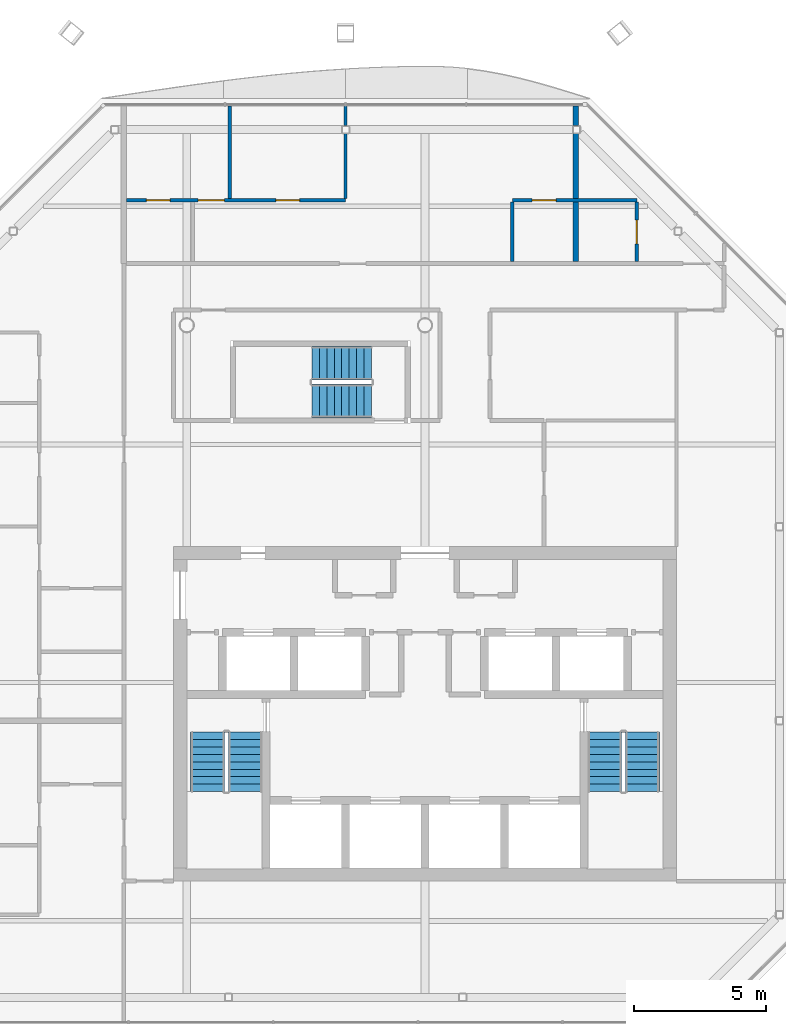
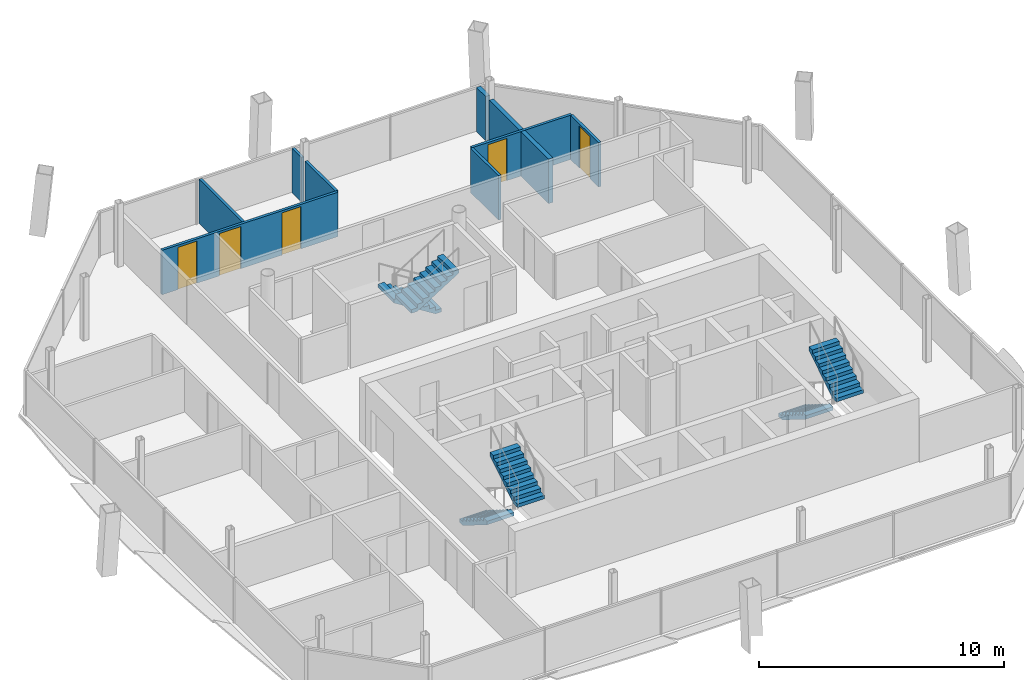
# One storey, part 12 of 16: 9 walls, 6 stair flights, 5 doors, 5 openings, 3 elements without a shape of their own.
"""IFC4 building model written with IfcOpenShell, lengths in metres."""

from ifc_helpers import new_model, si_unit, direction, frame, frame_2d, origin, place, context, subcontext, project, spatial, polyline, rectangle, outline, extrude, material, layer, layer_set, type_object, element, fill, aggregate, save


model = new_model("IFC4")

# Units and contexts
model_context = context("Model", 3, precision=1e-05, world=origin(), true_north=direction((0.0, 1.0)))
body_context = subcontext(model_context, "Body", "Model", "MODEL_VIEW")
ifc_project = project(units=[si_unit("LENGTHUNIT", "METRE"), si_unit("AREAUNIT", "SQUARE_METRE"), si_unit("VOLUMEUNIT", "CUBIC_METRE"), si_unit("PLANEANGLEUNIT", "RADIAN"), si_unit("MASSUNIT", "GRAM", prefix="KILO")], contexts=[model_context])

# Site, building, storey
site_placement = place(None, origin())
site = spatial("IfcSite", under=ifc_project, at=site_placement, CompositionType="ELEMENT")
building_placement = place(site_placement, origin())
building = spatial("IfcBuilding", under=site, at=building_placement, Name="Tskaro Facet Tower", CompositionType="ELEMENT")
storey_placement = place(building_placement, frame((0.0, 0.0, 251.85009765625)))
storey = spatial("IfcBuildingStorey", under=building, at=storey_placement, Name="L66", CompositionType="ELEMENT", Elevation=251.85009765625)

# Wall, openings, doors
ifc_material_1 = material(Name="Gypsum board on steel studs", Category="steel")
ifc_layer_1 = layer(ifc_material_1, 0.125, Name="Gypsum board on steel studs")
ifc_layer_set_1 = layer_set([ifc_layer_1], Name="Gypsum board on steel studs")
wall_type_1 = type_object("IfcWallType", Name="PART", PredefinedType="PARTITIONING", material=ifc_layer_set_1)
wall_1_placement = place(storey_placement, frame((-11.27490234375, 13.72509765625, 0.0), z_axis=(0.0, 0.0, 1.0), x_axis=(1.0, 0.0, 0.0)))
wall_1 = element("IfcWall", 1, at=wall_1_placement, inside=storey, type_object=wall_type_1, Name="Partition W037", PredefinedType="PARTITIONING", context=body_context, shape_type="SweptSolid", body=[
    extrude(rectangle(XDim=8.27490234375, YDim=0.125, at=frame_2d((4.137451171875, 0.0))), origin(), (0.0, 0.0, 1.0), 2.2099609375),
])
opening_1_placement = place(wall_1_placement, frame((5.637451171875, 0.0, 0.0)))
opening_1 = element("IfcOpeningElement", 2, at=opening_1_placement, cuts=wall_1, Name="Opening T19-D30", PredefinedType="OPENING", context=body_context, shape_type="SweptSolid", body=[
    extrude(rectangle(XDim=0.89990234375, YDim=2.10009765625, at=frame_2d((0.449951171875, 1.050048828125))), frame((0.0, 0.072509765625, 0.0), z_axis=(0.0, -1.0, 0.0), x_axis=(1.0, 0.0, 0.0)), (0.0, 0.0, 1.0), 0.14501953125),
])
opening_2_placement = place(wall_1_placement, frame((2.699951171875, 0.0, 0.0)))
opening_2 = element("IfcOpeningElement", 3, at=opening_2_placement, cuts=wall_1, Name="Opening T19-D29", PredefinedType="OPENING", context=body_context, shape_type="SweptSolid", body=[
    extrude(rectangle(XDim=1.0, YDim=2.10009765625, at=frame_2d((0.5, 1.050048828125))), frame((0.0, 0.072509765625, 0.0), z_axis=(0.0, -1.0, 0.0), x_axis=(1.0, 0.0, 0.0)), (0.0, 0.0, 1.0), 0.14501953125),
])
opening_3_placement = place(wall_1_placement, frame((0.75, 0.0, 0.0)))
opening_3 = element("IfcOpeningElement", 4, at=opening_3_placement, cuts=wall_1, Name="Opening T19-D28", PredefinedType="OPENING", context=body_context, shape_type="SweptSolid", body=[
    extrude(rectangle(XDim=0.89990234375, YDim=2.10009765625, at=frame_2d((0.449951171875, 1.050048828125))), frame((0.0, 0.072509765625, 0.0), z_axis=(0.0, -1.0, 0.0), x_axis=(1.0, 0.0, 0.0)), (0.0, 0.0, 1.0), 0.14501953125),
])
ifc_material_2 = material(Name="Timber", Category="wood")
door_type_1 = type_object("IfcDoorType", Name="D-ROOM", OperationType="NOTDEFINED", PredefinedType="DOOR", material=ifc_material_2)
door_1_placement = place(opening_1_placement, origin())
door_1 = element("IfcDoor", 5, at=door_1_placement, inside=storey, type_object=door_type_1, Name="Door T19-D30", OperationType="SINGLE_SWING_LEFT", OverallHeight=2.10009765625, OverallWidth=0.89990234375, PredefinedType="DOOR", context=body_context, shape_type="SweptSolid", body=[
    extrude(rectangle(XDim=0.89990234375, YDim=2.10009765625, at=frame_2d((0.449951171875, 1.050048828125))), frame((0.0, 0.02490234375, 0.0), z_axis=(0.0, -1.0, 0.0), x_axis=(1.0, 0.0, 0.0)), (0.0, 0.0, 1.0), 0.050048828125),
])
fill(opening_1, door_1)
door_2_placement = place(opening_3_placement, origin())
door_2 = element("IfcDoor", 6, at=door_2_placement, inside=storey, type_object=door_type_1, Name="Door T19-D28", OperationType="SINGLE_SWING_RIGHT", OverallHeight=2.10009765625, OverallWidth=0.89990234375, PredefinedType="DOOR", context=body_context, shape_type="SweptSolid", body=[
    extrude(rectangle(XDim=0.89990234375, YDim=2.10009765625, at=frame_2d((0.449951171875, 1.050048828125))), frame((0.0, 0.02490234375, 0.0), z_axis=(0.0, -1.0, 0.0), x_axis=(1.0, 0.0, 0.0)), (0.0, 0.0, 1.0), 0.050048828125),
])
fill(opening_3, door_2)
door_type_2 = type_object("IfcDoorType", Name="D-ROOM-WIDE", OperationType="NOTDEFINED", PredefinedType="DOOR", material=ifc_material_2)
door_3_placement = place(opening_2_placement, origin())
door_3 = element("IfcDoor", 7, at=door_3_placement, inside=storey, type_object=door_type_2, Name="Door T19-D29", OperationType="SINGLE_SWING_RIGHT", OverallHeight=2.10009765625, OverallWidth=1.0, PredefinedType="DOOR", context=body_context, shape_type="SweptSolid", body=[
    extrude(rectangle(XDim=1.0, YDim=2.10009765625, at=frame_2d((0.5, 1.050048828125))), frame((0.0, 0.02490234375, 0.0), z_axis=(0.0, -1.0, 0.0), x_axis=(1.0, 0.0, 0.0)), (0.0, 0.0, 1.0), 0.050048828125),
])
fill(opening_2, door_3)

# Wall, opening, door
wall_2_placement = place(storey_placement, frame((8.0, 13.72509765625, 0.0), z_axis=(0.0, 0.0, 1.0), x_axis=(-1.0, 0.0, 0.0)))
wall_2 = element("IfcWall", 8, at=wall_2_placement, inside=storey, type_object=wall_type_1, Name="Partition W038", PredefinedType="PARTITIONING", context=body_context, shape_type="SweptSolid", body=[
    extrude(rectangle(XDim=4.699951171875, YDim=0.125, at=frame_2d((2.35009765625, 0.0))), origin(), (0.0, 0.0, 1.0), 2.2099609375),
])
opening_4_placement = place(wall_2_placement, frame((3.050048828125, 0.0, 0.0)))
opening_4 = element("IfcOpeningElement", 9, at=opening_4_placement, cuts=wall_2, Name="Opening T19-D31", PredefinedType="OPENING", context=body_context, shape_type="SweptSolid", body=[
    extrude(rectangle(XDim=0.89990234375, YDim=2.10009765625, at=frame_2d((0.449951171875, 1.050048828125))), frame((0.0, 0.072509765625, 0.0), z_axis=(0.0, -1.0, 0.0), x_axis=(1.0, 0.0, 0.0)), (0.0, 0.0, 1.0), 0.14501953125),
])
door_4_placement = place(opening_4_placement, origin())
door_4 = element("IfcDoor", 10, at=door_4_placement, inside=storey, type_object=door_type_1, Name="Door T19-D31", OperationType="SINGLE_SWING_RIGHT", OverallHeight=2.10009765625, OverallWidth=0.89990234375, PredefinedType="DOOR", context=body_context, shape_type="SweptSolid", body=[
    extrude(rectangle(XDim=0.89990234375, YDim=2.10009765625, at=frame_2d((0.449951171875, 1.050048828125))), frame((0.0, 0.02490234375, 0.0), z_axis=(0.0, -1.0, 0.0), x_axis=(1.0, 0.0, 0.0)), (0.0, 0.0, 1.0), 0.050048828125),
])
fill(opening_4, door_4)

# Walls
wall_3_placement = place(storey_placement, frame((-7.375, 13.78759765625, 0.0), z_axis=(0.0, 0.0, 1.0), x_axis=(0.0, 1.0, 0.0)))
element("IfcWall", 11, at=wall_3_placement, inside=storey, type_object=wall_type_1, Name="Partition W046", PredefinedType="PARTITIONING", context=body_context, shape_type="SweptSolid", body=[
    extrude(rectangle(XDim=3.50244140625, YDim=0.125, at=frame_2d((1.751220703125, 0.0))), origin(), (0.0, 0.0, 1.0), 2.2099609375),
])
wall_4_placement = place(storey_placement, frame((-3.0, 13.78759765625, 0.0), z_axis=(0.0, 0.0, 1.0), x_axis=(0.0, 1.0, 0.0)))
element("IfcWall", 12, at=wall_4_placement, inside=storey, type_object=wall_type_1, Name="Partition W052", PredefinedType="PARTITIONING", context=body_context, shape_type="SweptSolid", body=[
    extrude(rectangle(XDim=2.453369140625, YDim=0.125, at=frame_2d((1.2265625, 0.0))), origin(), (0.0, 0.0, 1.0), 2.2099609375),
])
wall_5_placement = place(storey_placement, frame((-3.0, 16.541015625, 0.0), z_axis=(0.0, 0.0, 1.0), x_axis=(0.0, 1.0, 0.0)))
element("IfcWall", 13, at=wall_5_placement, inside=storey, type_object=wall_type_1, Name="Partition W053", PredefinedType="PARTITIONING", context=body_context, shape_type="SweptSolid", body=[
    extrude(rectangle(XDim=0.7490234375, YDim=0.125, at=frame_2d((0.37451171875, 0.0))), origin(), (0.0, 0.0, 1.0), 2.2099609375),
])
wall_6_placement = place(storey_placement, frame((3.300048828125, 11.39990234375, 0.0), z_axis=(0.0, 0.0, 1.0), x_axis=(0.0, 1.0, 0.0)))
element("IfcWall", 14, at=wall_6_placement, inside=storey, type_object=wall_type_1, Name="Partition W065", PredefinedType="PARTITIONING", context=body_context, shape_type="SweptSolid", body=[
    extrude(rectangle(XDim=2.2626953125, YDim=0.125, at=frame_2d((1.13134765625, 0.0))), origin(), (0.0, 0.0, 1.0), 2.2099609375),
])

# Wall, opening, door
wall_7_placement = place(storey_placement, frame((8.0, 11.39990234375, 0.0), z_axis=(0.0, 0.0, 1.0), x_axis=(0.0, 1.0, 0.0)))
wall_7 = element("IfcWall", 15, at=wall_7_placement, inside=storey, type_object=wall_type_1, Name="Partition W073", PredefinedType="PARTITIONING", context=body_context, shape_type="SweptSolid", body=[
    extrude(rectangle(XDim=2.2626953125, YDim=0.125, at=frame_2d((1.13134765625, 0.0))), origin(), (0.0, 0.0, 1.0), 2.2099609375),
])
opening_5_placement = place(wall_7_placement, frame((0.675048828125, 0.0, 0.0)))
opening_5 = element("IfcOpeningElement", 16, at=opening_5_placement, cuts=wall_7, Name="Opening T19-D27", PredefinedType="OPENING", context=body_context, shape_type="SweptSolid", body=[
    extrude(rectangle(XDim=0.89990234375, YDim=2.10009765625, at=frame_2d((0.449951171875, 1.050048828125))), frame((0.0, 0.072509765625, 0.0), z_axis=(0.0, -1.0, 0.0), x_axis=(1.0, 0.0, 0.0)), (0.0, 0.0, 1.0), 0.14501953125),
])
door_5_placement = place(opening_5_placement, origin())
door_5 = element("IfcDoor", 17, at=door_5_placement, inside=storey, type_object=door_type_1, Name="Door T19-D27", OperationType="SINGLE_SWING_LEFT", OverallHeight=2.10009765625, OverallWidth=0.89990234375, PredefinedType="DOOR", context=body_context, shape_type="SweptSolid", body=[
    extrude(rectangle(XDim=0.89990234375, YDim=2.10009765625, at=frame_2d((0.449951171875, 1.050048828125))), frame((0.0, 0.02490234375, 0.0), z_axis=(0.0, -1.0, 0.0), x_axis=(1.0, 0.0, 0.0)), (0.0, 0.0, 1.0), 0.050048828125),
])
fill(opening_5, door_5)

# Walls
ifc_layer_2 = layer(ifc_material_1, 0.199951171875, Name="Gypsum board on steel studs")
ifc_layer_set_2 = layer_set([ifc_layer_2], Name="Gypsum board on steel studs")
wall_type_2 = type_object("IfcWallType", Name="PART-DEMISING", PredefinedType="PARTITIONING", material=ifc_layer_set_2)
wall_8_placement = place(storey_placement, frame((5.699951171875, 11.39990234375, 0.0), z_axis=(0.0, 0.0, 1.0), x_axis=(0.0, 1.0, 0.0)))
element("IfcWall", 18, at=wall_8_placement, inside=storey, type_object=wall_type_2, Name="Guest room wall W069", PredefinedType="PARTITIONING", context=body_context, shape_type="SweptSolid", body=[
    extrude(rectangle(XDim=4.841064453125, YDim=0.199951171875, at=frame_2d((2.42041015625, 0.0))), origin(), (0.0, 0.0, 1.0), 2.2099609375),
])
wall_9_placement = place(storey_placement, frame((5.699951171875, 16.541015625, 0.0), z_axis=(0.0, 0.0, 1.0), x_axis=(0.0, 1.0, 0.0)))
element("IfcWall", 19, at=wall_9_placement, inside=storey, type_object=wall_type_2, Name="Guest room wall W070", PredefinedType="PARTITIONING", context=body_context, shape_type="SweptSolid", body=[
    extrude(rectangle(XDim=0.7490234375, YDim=0.199951171875, at=frame_2d((0.37451171875, 0.0))), origin(), (0.0, 0.0, 1.0), 2.2099609375),
])

# Stair, stair flights
ifc_material_3 = material(Name="Concrete C40/50", Category="concrete")
stair_type = type_object("IfcStairType", Name="ST-TWR", PredefinedType="HALF_TURN_STAIR", material=ifc_material_3)
stair_1_placement = place(storey_placement, origin())
stair_1 = element("IfcStair", 20, at=stair_1_placement, inside=storey, type_object=stair_type, Name="L66 Exit stair 1", PredefinedType="HALF_TURN_STAIR")
stair_flight_type = type_object("IfcStairFlightType", Name="SFL-RC", PredefinedType="STRAIGHT", material=ifc_material_3)
stair_flight_1_placement = place(storey_placement, frame((-8.21240234375, -6.375, 0.0), z_axis=(0.0, 0.0, 1.0), x_axis=(0.0, -1.0, 0.0)))
stair_flight_1 = element("IfcStairFlight", 21, at=stair_flight_1_placement, type_object=stair_flight_type, Name="ST-1 flight 1", NumberOfRisers=9, NumberOfTreads=8, PredefinedType="STRAIGHT", RiserHeight=0.175, TreadLength=0.28, context=body_context, shape_type="SweptSolid", body=[
    extrude(outline(polyline([(0.0, 0.0), (0.0, 0.175048828125), (0.280029296875, 0.175048828125), (0.280029296875, 0.35009765625), (0.56005859375, 0.35009765625), (0.56005859375, 0.52490234375), (0.840087890625, 0.52490234375), (0.840087890625, 0.699951171875), (1.1201171875, 0.699951171875), (1.1201171875, 0.875), (1.39990234375, 0.875), (1.39990234375, 1.050048828125), (1.679931640625, 1.050048828125), (1.679931640625, 1.22509765625), (1.9599609375, 1.22509765625), (1.9599609375, 1.39990234375), (2.239990234375, 1.39990234375), (2.239990234375, 1.574951171875), (2.239990234375, 1.22314453125), (0.28271484375, 0.0), (0.0, 0.0)])), frame((0.0, 0.637451171875, 0.0), z_axis=(0.0, -1.0, 0.0), x_axis=(1.0, 0.0, 0.0)), (0.0, 0.0, 1.0), 1.27490234375),
])
stair_flight_2_placement = place(storey_placement, frame((-6.78759765625, -8.614990234375, 1.574951171875), z_axis=(0.0, 0.0, 1.0), x_axis=(0.0, 1.0, 0.0)))
stair_flight_2 = element("IfcStairFlight", 22, at=stair_flight_2_placement, type_object=stair_flight_type, Name="ST-1 flight 2", NumberOfRisers=9, NumberOfTreads=8, PredefinedType="STRAIGHT", RiserHeight=0.175, TreadLength=0.28, context=body_context, shape_type="SweptSolid", body=[
    extrude(outline(polyline([(0.0, 0.0), (0.0, 0.175048828125), (0.280029296875, 0.175048828125), (0.280029296875, 0.35009765625), (0.56005859375, 0.35009765625), (0.56005859375, 0.52490234375), (0.840087890625, 0.52490234375), (0.840087890625, 0.699951171875), (1.1201171875, 0.699951171875), (1.1201171875, 0.875), (1.39990234375, 0.875), (1.39990234375, 1.050048828125), (1.679931640625, 1.050048828125), (1.679931640625, 1.22509765625), (1.9599609375, 1.22509765625), (1.9599609375, 1.39990234375), (2.239990234375, 1.39990234375), (2.239990234375, 1.574951171875), (2.239990234375, 1.22314453125), (0.28271484375, 0.0), (0.0, 0.0)])), frame((0.0, 0.637451171875, 0.0), z_axis=(0.0, -1.0, 0.0), x_axis=(1.0, 0.0, 0.0)), (0.0, 0.0, 1.0), 1.27490234375),
])
aggregate(stair_1, [stair_flight_1, stair_flight_2])

stair_2_placement = place(storey_placement, origin())
stair_2 = element("IfcStair", 23, at=stair_2_placement, inside=storey, type_object=stair_type, Name="L66 Exit stair 2", PredefinedType="HALF_TURN_STAIR")
stair_flight_3_placement = place(storey_placement, frame((6.78759765625, -6.375, 0.0), z_axis=(0.0, 0.0, 1.0), x_axis=(0.0, -1.0, 0.0)))
stair_flight_3 = element("IfcStairFlight", 24, at=stair_flight_3_placement, type_object=stair_flight_type, Name="ST-2 flight 1", NumberOfRisers=9, NumberOfTreads=8, PredefinedType="STRAIGHT", RiserHeight=0.175, TreadLength=0.28, context=body_context, shape_type="SweptSolid", body=[
    extrude(outline(polyline([(0.0, 0.0), (0.0, 0.175048828125), (0.280029296875, 0.175048828125), (0.280029296875, 0.35009765625), (0.56005859375, 0.35009765625), (0.56005859375, 0.52490234375), (0.840087890625, 0.52490234375), (0.840087890625, 0.699951171875), (1.1201171875, 0.699951171875), (1.1201171875, 0.875), (1.39990234375, 0.875), (1.39990234375, 1.050048828125), (1.679931640625, 1.050048828125), (1.679931640625, 1.22509765625), (1.9599609375, 1.22509765625), (1.9599609375, 1.39990234375), (2.239990234375, 1.39990234375), (2.239990234375, 1.574951171875), (2.239990234375, 1.22314453125), (0.28271484375, 0.0), (0.0, 0.0)])), frame((0.0, 0.637451171875, 0.0), z_axis=(0.0, -1.0, 0.0), x_axis=(1.0, 0.0, 0.0)), (0.0, 0.0, 1.0), 1.27490234375),
])
stair_flight_4_placement = place(storey_placement, frame((8.21240234375, -8.614990234375, 1.574951171875), z_axis=(0.0, 0.0, 1.0), x_axis=(0.0, 1.0, 0.0)))
stair_flight_4 = element("IfcStairFlight", 25, at=stair_flight_4_placement, type_object=stair_flight_type, Name="ST-2 flight 2", NumberOfRisers=9, NumberOfTreads=8, PredefinedType="STRAIGHT", RiserHeight=0.175, TreadLength=0.28, context=body_context, shape_type="SweptSolid", body=[
    extrude(outline(polyline([(0.0, 0.0), (0.0, 0.175048828125), (0.280029296875, 0.175048828125), (0.280029296875, 0.35009765625), (0.56005859375, 0.35009765625), (0.56005859375, 0.52490234375), (0.840087890625, 0.52490234375), (0.840087890625, 0.699951171875), (1.1201171875, 0.699951171875), (1.1201171875, 0.875), (1.39990234375, 0.875), (1.39990234375, 1.050048828125), (1.679931640625, 1.050048828125), (1.679931640625, 1.22509765625), (1.9599609375, 1.22509765625), (1.9599609375, 1.39990234375), (2.239990234375, 1.39990234375), (2.239990234375, 1.574951171875), (2.239990234375, 1.22314453125), (0.28271484375, 0.0), (0.0, 0.0)])), frame((0.0, 0.637451171875, 0.0), z_axis=(0.0, -1.0, 0.0), x_axis=(1.0, 0.0, 0.0)), (0.0, 0.0, 1.0), 1.27490234375),
])
aggregate(stair_2, [stair_flight_3, stair_flight_4])

stair_3_placement = place(storey_placement, origin())
stair_3 = element("IfcStair", 26, at=stair_3_placement, inside=storey, type_object=stair_type, Name="L66 Exit stair 3", PredefinedType="HALF_TURN_STAIR")
stair_flight_5_placement = place(storey_placement, frame((-2.02490234375, 7.5625, 0.0), z_axis=(0.0, 0.0, 1.0), x_axis=(-1.0, 0.0, 0.0)))
stair_flight_5 = element("IfcStairFlight", 27, at=stair_flight_5_placement, type_object=stair_flight_type, Name="ST-3 flight 1", NumberOfRisers=9, NumberOfTreads=8, PredefinedType="STRAIGHT", RiserHeight=0.175, TreadLength=0.28, context=body_context, shape_type="SweptSolid", body=[
    extrude(outline(polyline([(0.0, 0.0), (0.0, 0.175048828125), (0.280029296875, 0.175048828125), (0.280029296875, 0.35009765625), (0.56005859375, 0.35009765625), (0.56005859375, 0.52490234375), (0.840087890625, 0.52490234375), (0.840087890625, 0.699951171875), (1.1201171875, 0.699951171875), (1.1201171875, 0.875), (1.39990234375, 0.875), (1.39990234375, 1.050048828125), (1.679931640625, 1.050048828125), (1.679931640625, 1.22509765625), (1.9599609375, 1.22509765625), (1.9599609375, 1.39990234375), (2.239990234375, 1.39990234375), (2.239990234375, 1.574951171875), (2.239990234375, 1.22314453125), (0.28271484375, 0.0), (0.0, 0.0)])), frame((0.0, 0.637451171875, 0.0), z_axis=(0.0, -1.0, 0.0), x_axis=(1.0, 0.0, 0.0)), (0.0, 0.0, 1.0), 1.27490234375),
])
stair_flight_6_placement = place(storey_placement, frame((-4.264892578125, 6.137451171875, 1.574951171875), z_axis=(0.0, 0.0, 1.0), x_axis=(1.0, 0.0, 0.0)))
stair_flight_6 = element("IfcStairFlight", 28, at=stair_flight_6_placement, type_object=stair_flight_type, Name="ST-3 flight 2", NumberOfRisers=9, NumberOfTreads=8, PredefinedType="STRAIGHT", RiserHeight=0.175, TreadLength=0.28, context=body_context, shape_type="SweptSolid", body=[
    extrude(outline(polyline([(0.0, 0.0), (0.0, 0.175048828125), (0.280029296875, 0.175048828125), (0.280029296875, 0.35009765625), (0.56005859375, 0.35009765625), (0.56005859375, 0.52490234375), (0.840087890625, 0.52490234375), (0.840087890625, 0.699951171875), (1.1201171875, 0.699951171875), (1.1201171875, 0.875), (1.39990234375, 0.875), (1.39990234375, 1.050048828125), (1.679931640625, 1.050048828125), (1.679931640625, 1.22509765625), (1.9599609375, 1.22509765625), (1.9599609375, 1.39990234375), (2.239990234375, 1.39990234375), (2.239990234375, 1.574951171875), (2.239990234375, 1.22314453125), (0.28271484375, 0.0), (0.0, 0.0)])), frame((0.0, 0.637451171875, 0.0), z_axis=(0.0, -1.0, 0.0), x_axis=(1.0, 0.0, 0.0)), (0.0, 0.0, 1.0), 1.27490234375),
])
aggregate(stair_3, [stair_flight_5, stair_flight_6])

save(model, "model.ifc")
